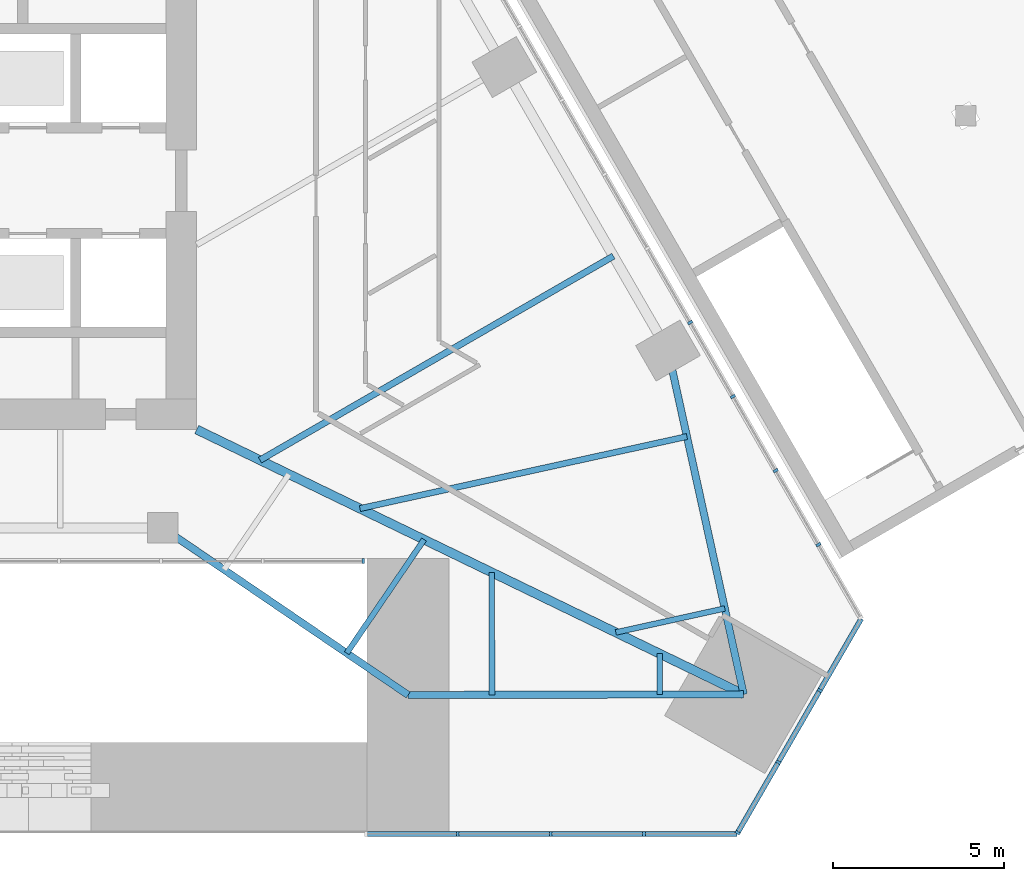
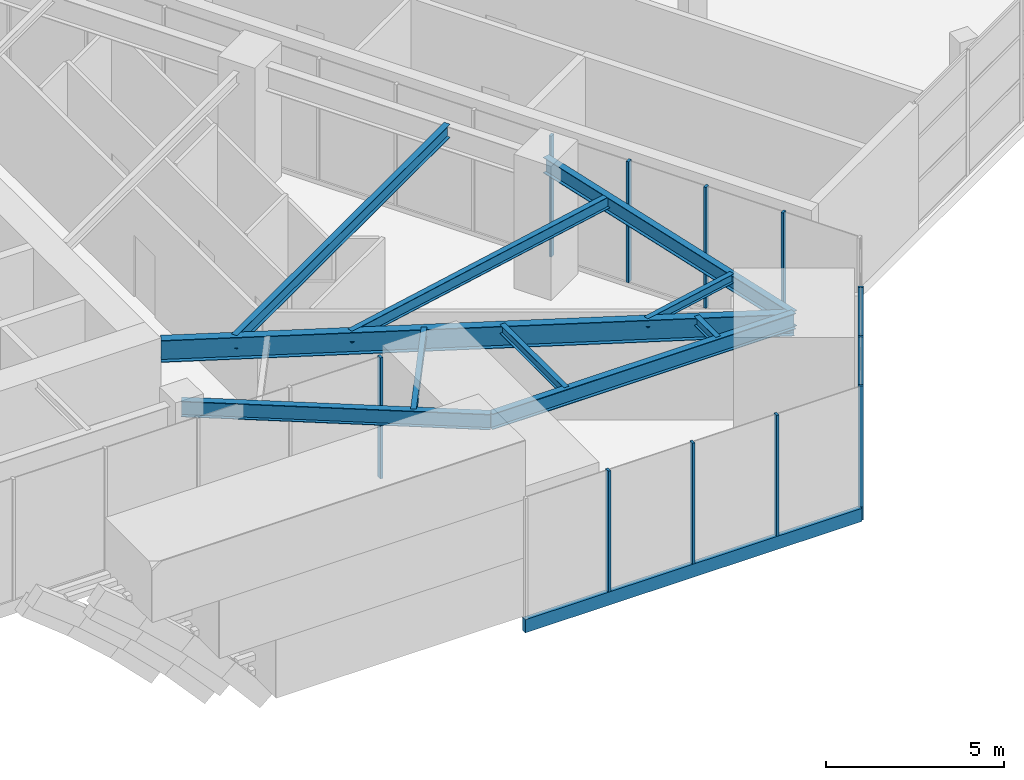
# One storey, part 6 of 23: 13 members, 10 beams, 4 elements without a shape of their own.
"""IFC4 building model written with IfcOpenShell, lengths in metres."""

from ifc_helpers import new_model, si_unit, direction, frame, origin, origin_2d, place, context, subcontext, project, spatial, rectangle, i_section, extrude, material, layer, layer_set, material_profile, profile_set, type_object, element, aggregate, save


model = new_model("IFC4")

# Units and contexts
model_context = context("Model", 3, precision=1e-05, world=origin(), true_north=direction((0.0, 1.0)))
body_context = subcontext(model_context, "Body", "Model", "MODEL_VIEW")
ifc_project = project(units=[si_unit("LENGTHUNIT", "METRE"), si_unit("AREAUNIT", "SQUARE_METRE"), si_unit("VOLUMEUNIT", "CUBIC_METRE"), si_unit("PLANEANGLEUNIT", "RADIAN"), si_unit("MASSUNIT", "GRAM", prefix="KILO")], contexts=[model_context])

# Site, building, storey
site_placement = place(None, origin())
site = spatial("IfcSite", under=ifc_project, at=site_placement, CompositionType="ELEMENT")
building_placement = place(site_placement, origin())
building = spatial("IfcBuilding", under=site, at=building_placement, Name="Firuza Gate Tower and Library", CompositionType="ELEMENT")
storey_placement = place(building_placement, frame((0.0, 0.0, 21.800048828125)))
storey = spatial("IfcBuildingStorey", under=building, at=storey_placement, Name="L04", CompositionType="ELEMENT", Elevation=21.800048828125)

# Curtain wall, member
ifc_material_1 = material(Name="Aluminium 6063-T6", Category="aluminium")
ifc_layer_1 = layer(ifc_material_1, 0.14990234375)
ifc_layer_set_1 = layer_set([ifc_layer_1], Name="Stick curtain wall, gate lobby")
curtain_wall_type_1 = type_object("IfcCurtainWallType", Name="Stick curtain wall, gate lobby", PredefinedType="NOTDEFINED", material=ifc_layer_set_1)
placement = place(storey_placement, origin())
curtain_wall_1 = element("IfcCurtainWall", 1, at=placement, inside=storey, type_object=curtain_wall_type_1, Name="CW7 L04 gate lobby", PredefinedType="NOTDEFINED")
ifc_material_2 = material(Name="Aluminium 6063-T6", Category="aluminium")
ifc_material_profile_1 = material_profile(ifc_material_2, rectangle(XDim=0.14990234375, YDim=0.080078125, at=origin_2d()))
ifc_profile_set_1 = profile_set([ifc_material_profile_1], Name="Aluminium 6063-T6")
member_type_1 = type_object("IfcMemberType", Name="Curtain wall mullion 80x150", PredefinedType="MULLION", material=ifc_profile_set_1)
member_1_placement = place(storey_placement, frame((92.885009765625, 62.140380859375, 0.14990234375), z_axis=(0.0, 0.0, 1.0), x_axis=(0.0, 1.0, 0.0)))
member_1 = element("IfcMember", 2, at=member_1_placement, type_object=member_type_1, Name="Mullion", PredefinedType="MULLION", context=body_context, shape_type="SweptSolid", body=[
    extrude(rectangle(XDim=0.14990234375, YDim=0.080078125, at=origin_2d()), origin(), (0.0, 0.0, 1.0), 4.150146484375),
])
aggregate(curtain_wall_1, [member_1])

# Curtain wall, members
ifc_material_3 = material(Name="Aluminium 6063-T6", Category="aluminium")
ifc_layer_2 = layer(ifc_material_3, 0.14990234375)
ifc_layer_set_2 = layer_set([ifc_layer_2], Name="Stick curtain wall, podium")
curtain_wall_type_2 = type_object("IfcCurtainWallType", Name="Stick curtain wall, podium", PredefinedType="NOTDEFINED", material=ifc_layer_set_2)
curtain_wall_2 = element("IfcCurtainWall", 3, at=placement, inside=storey, type_object=curtain_wall_type_2, Name="CW5 L04 S", PredefinedType="NOTDEFINED")
member_2_placement = place(storey_placement, frame((95.654541015625, 54.140380859375, 0.14990234375), z_axis=(0.0, 0.0, 1.0), x_axis=(0.0, 1.0, 0.0)))
member_2 = element("IfcMember", 4, at=member_2_placement, type_object=member_type_1, Name="Mullion", PredefinedType="MULLION", context=body_context, shape_type="SweptSolid", body=[
    extrude(rectangle(XDim=0.14990234375, YDim=0.080078125, at=origin_2d()), origin(), (0.0, 0.0, 1.0), 4.150146484375),
])
member_3_placement = place(storey_placement, frame((98.384033203125, 54.140380859375, 0.14990234375), z_axis=(0.0, 0.0, 1.0), x_axis=(0.0, 1.0, 0.0)))
member_3 = element("IfcMember", 5, at=member_3_placement, type_object=member_type_1, Name="Mullion", PredefinedType="MULLION", context=body_context, shape_type="SweptSolid", body=[
    extrude(rectangle(XDim=0.14990234375, YDim=0.080078125, at=origin_2d()), origin(), (0.0, 0.0, 1.0), 4.150146484375),
])
member_4_placement = place(storey_placement, frame((101.11376953125, 54.140380859375, 0.14990234375), z_axis=(0.0, 0.0, 1.0), x_axis=(0.0, 1.0, 0.0)))
member_4 = element("IfcMember", 6, at=member_4_placement, type_object=member_type_1, Name="Mullion", PredefinedType="MULLION", context=body_context, shape_type="SweptSolid", body=[
    extrude(rectangle(XDim=0.14990234375, YDim=0.080078125, at=origin_2d()), origin(), (0.0, 0.0, 1.0), 4.150146484375),
])

curtain_wall_3 = element("IfcCurtainWall", 7, at=placement, inside=storey, type_object=curtain_wall_type_2, Name="CW5 L04 SE", PredefinedType="NOTDEFINED")
member_5_placement = place(storey_placement, frame((103.86328125, 54.175048828125, 0.14990234375), z_axis=(0.0, 0.0, 1.0), x_axis=(-0.866025403784, 0.5, 0.0)))
member_5 = element("IfcMember", 8, at=member_5_placement, type_object=member_type_1, Name="Mullion", PredefinedType="MULLION", context=body_context, shape_type="SweptSolid", body=[
    extrude(rectangle(XDim=0.14990234375, YDim=0.080078125, at=origin_2d()), origin(), (0.0, 0.0, 1.0), 4.150146484375),
])
member_6_placement = place(storey_placement, frame((105.0576171875, 56.243896484375, 0.14990234375), z_axis=(0.0, 0.0, 1.0), x_axis=(-0.866025403784, 0.5, 0.0)))
member_6 = element("IfcMember", 9, at=member_6_placement, type_object=member_type_1, Name="Mullion", PredefinedType="MULLION", context=body_context, shape_type="SweptSolid", body=[
    extrude(rectangle(XDim=0.14990234375, YDim=0.080078125, at=origin_2d()), origin(), (0.0, 0.0, 1.0), 4.150146484375),
])
member_7_placement = place(storey_placement, frame((106.272216796875, 58.347412109375, 0.14990234375), z_axis=(0.0, 0.0, 1.0), x_axis=(-0.866025403784, 0.5, 0.0)))
member_7 = element("IfcMember", 10, at=member_7_placement, type_object=member_type_1, Name="Mullion", PredefinedType="MULLION", context=body_context, shape_type="SweptSolid", body=[
    extrude(rectangle(XDim=0.14990234375, YDim=0.080078125, at=origin_2d()), origin(), (0.0, 0.0, 1.0), 4.150146484375),
])

curtain_wall_4 = element("IfcCurtainWall", 11, at=placement, inside=storey, type_object=curtain_wall_type_2, Name="CW5 L04 E", PredefinedType="NOTDEFINED")
member_8_placement = place(storey_placement, frame((106.232666015625, 62.622802734375, 0.14990234375), z_axis=(0.0, 0.0, 1.0), x_axis=(-0.866025403784, -0.5, 0.0)))
member_8 = element("IfcMember", 12, at=member_8_placement, type_object=member_type_1, Name="Mullion", PredefinedType="MULLION", context=body_context, shape_type="SweptSolid", body=[
    extrude(rectangle(XDim=0.14990234375, YDim=0.080078125, at=origin_2d()), origin(), (0.0, 0.0, 1.0), 4.150146484375),
])
member_9_placement = place(storey_placement, frame((104.978515625, 64.794921875, 0.14990234375), z_axis=(0.0, 0.0, 1.0), x_axis=(-0.866025403784, -0.5, 0.0)))
member_9 = element("IfcMember", 13, at=member_9_placement, type_object=member_type_1, Name="Mullion", PredefinedType="MULLION", context=body_context, shape_type="SweptSolid", body=[
    extrude(rectangle(XDim=0.14990234375, YDim=0.080078125, at=origin_2d()), origin(), (0.0, 0.0, 1.0), 4.150146484375),
])
member_10_placement = place(storey_placement, frame((103.724365234375, 66.967041015625, 0.14990234375), z_axis=(0.0, 0.0, 1.0), x_axis=(-0.866025403784, -0.5, 0.0)))
member_10 = element("IfcMember", 14, at=member_10_placement, type_object=member_type_1, Name="Mullion", PredefinedType="MULLION", context=body_context, shape_type="SweptSolid", body=[
    extrude(rectangle(XDim=0.14990234375, YDim=0.080078125, at=origin_2d()), origin(), (0.0, 0.0, 1.0), 4.150146484375),
])
member_11_placement = place(storey_placement, frame((102.470458984375, 69.13916015625, 0.14990234375), z_axis=(0.0, 0.0, 1.0), x_axis=(-0.866025403784, -0.5, 0.0)))
member_11 = element("IfcMember", 15, at=member_11_placement, type_object=member_type_1, Name="Mullion", PredefinedType="MULLION", context=body_context, shape_type="SweptSolid", body=[
    extrude(rectangle(XDim=0.14990234375, YDim=0.080078125, at=origin_2d()), origin(), (0.0, 0.0, 1.0), 4.150146484375),
])
aggregate(curtain_wall_4, [member_8, member_9, member_10, member_11])

# Member
ifc_material_4 = material(Name="Aluminium 6063-T6", Category="aluminium")
ifc_material_profile_2 = material_profile(ifc_material_4, rectangle(XDim=0.14990234375, YDim=0.449951171875, at=origin_2d()))
ifc_profile_set_2 = profile_set([ifc_material_profile_2], Name="Aluminium 6063-T6")
member_type_2 = type_object("IfcMemberType", Name="Curtain wall transom 450x150", PredefinedType="USERDEFINED", material=ifc_profile_set_2)
member_12_placement = place(storey_placement, frame((92.925048828125, 54.140380859375, -0.074951171875), z_axis=(1.0, 0.0, 0.0), x_axis=(0.0, 1.0, 0.0)))
member_12 = element("IfcMember", 16, at=member_12_placement, type_object=member_type_2, Name="Transom", ObjectType="TRANSOM", PredefinedType="USERDEFINED", context=body_context, shape_type="SweptSolid", body=[
    extrude(rectangle(XDim=0.14990234375, YDim=0.449951171875, at=origin_2d()), origin(), (0.0, 0.0, 1.0), 10.918212890625),
])

aggregate(curtain_wall_2, [member_2, member_3, member_4, member_12])

member_13_placement = place(storey_placement, frame((103.84326171875, 54.140380859375, -0.074951171875), z_axis=(0.500005719219, 0.866022101766, 0.0), x_axis=(-0.866022101766, 0.500005719219, 0.0)))
member_13 = element("IfcMember", 17, at=member_13_placement, type_object=member_type_2, Name="Transom", ObjectType="TRANSOM", PredefinedType="USERDEFINED", context=body_context, shape_type="SweptSolid", body=[
    extrude(rectangle(XDim=0.14990234375, YDim=0.449951171875, at=origin_2d()), origin(), (0.0, 0.0, 1.0), 7.28662109375),
])

aggregate(curtain_wall_3, [member_5, member_6, member_7, member_13])

# Beams
ifc_material_5 = material(Name="Steel S355", Category="steel")
ifc_material_profile_3 = material_profile(ifc_material_5, i_section(OverallWidth=0.1650390625, OverallDepth=0.31005859375, WebThickness=0.005859375, FlangeThickness=0.009765625, at=origin_2d()))
ifc_profile_set_3 = profile_set([ifc_material_profile_3], Name="Steel S355")
beam_type_1 = type_object("IfcBeamType", Name="W310x39 Floor beam", PredefinedType="JOIST", material=ifc_profile_set_3)
beam_1_placement = place(storey_placement, frame((92.39990234375, 59.4404296875, 4.14501953125), z_axis=(0.562657973934, 0.826689787265, 0.0), x_axis=(-0.826689787265, 0.562657973934, 0.0)))
element("IfcBeam", 18, at=beam_1_placement, inside=storey, type_object=beam_type_1, Name="Floor beam L04 s41", PredefinedType="JOIST", context=body_context, shape_type="SweptSolid", body=[
    extrude(i_section(OverallWidth=0.1650390625, OverallDepth=0.31005859375, WebThickness=0.005859375, FlangeThickness=0.009765625, at=origin_2d()), origin(), (0.0, 0.0, 1.0), 4.02978515625),
])
beam_2_placement = place(storey_placement, frame((96.660400390625, 58.2197265625, 4.14501953125), z_axis=(-0.001836107072, 0.999998314354, 0.0), x_axis=(-0.999998314354, -0.001836107072, 0.0)))
element("IfcBeam", 19, at=beam_2_placement, inside=storey, type_object=beam_type_1, Name="Floor beam L04 s50", PredefinedType="JOIST", context=body_context, shape_type="SweptSolid", body=[
    extrude(i_section(OverallWidth=0.1650390625, OverallDepth=0.31005859375, WebThickness=0.005859375, FlangeThickness=0.009765625, at=origin_2d()), origin(), (0.0, 0.0, 1.0), 3.590087890625),
])
beam_3_placement = place(storey_placement, frame((101.580810546875, 58.228759765625, 4.14501953125), z_axis=(-0.00183635683, 0.999998313895, 0.0), x_axis=(-0.999998313895, -0.00183635683, 0.0)))
element("IfcBeam", 20, at=beam_3_placement, inside=storey, type_object=beam_type_1, Name="Floor beam L04 s51", PredefinedType="JOIST", context=body_context, shape_type="SweptSolid", body=[
    extrude(i_section(OverallWidth=0.1650390625, OverallDepth=0.31005859375, WebThickness=0.005859375, FlangeThickness=0.009765625, at=origin_2d()), origin(), (0.0, 0.0, 1.0), 1.196533203125),
])
beam_4_placement = place(storey_placement, frame((103.486083984375, 60.75341796875, 4.14501953125), z_axis=(-0.976601243751, -0.215058156564, 0.0), x_axis=(0.215058156564, -0.976601243751, 0.0)))
element("IfcBeam", 21, at=beam_4_placement, inside=storey, type_object=beam_type_1, Name="Floor beam L04 s60", PredefinedType="JOIST", context=body_context, shape_type="SweptSolid", body=[
    extrude(i_section(OverallWidth=0.1650390625, OverallDepth=0.31005859375, WebThickness=0.005859375, FlangeThickness=0.009765625, at=origin_2d()), origin(), (0.0, 0.0, 1.0), 3.27294921875),
])
ifc_material_6 = material(Name="Steel S355", Category="steel")
ifc_material_profile_4 = material_profile(ifc_material_6, i_section(OverallWidth=0.177978515625, OverallDepth=0.406982421875, WebThickness=0.0078125, FlangeThickness=0.0126953125, at=origin_2d()))
ifc_profile_set_4 = profile_set([ifc_material_profile_4], Name="Steel S355")
beam_type_2 = type_object("IfcBeamType", Name="W410x60 Floor beam", PredefinedType="JOIST", material=ifc_profile_set_4)
beam_5_placement = place(storey_placement, frame((102.375732421875, 65.794189453125, 4.096435546875), z_axis=(-0.97658964753, -0.215110809441, 0.0), x_axis=(0.215110809441, -0.97658964753, 0.0)))
element("IfcBeam", 22, at=beam_5_placement, inside=storey, type_object=beam_type_2, Name="Floor beam L04 s61", PredefinedType="JOIST", context=body_context, shape_type="SweptSolid", body=[
    extrude(i_section(OverallWidth=0.177978515625, OverallDepth=0.406982421875, WebThickness=0.0078125, FlangeThickness=0.0126953125, at=origin_2d()), origin(), (0.0, 0.0, 1.0), 9.818359375),
])
ifc_material_7 = material(Name="Steel S355", Category="steel")
ifc_material_profile_5 = material_profile(ifc_material_7, i_section(OverallWidth=0.18994140625, OverallDepth=0.45703125, WebThickness=0.009033203125, FlangeThickness=0.014404296875, at=origin_2d()))
ifc_profile_set_5 = profile_set([ifc_material_profile_5], Name="Steel S355")
beam_type_3 = type_object("IfcBeamType", Name="W460x74 Floor beam", PredefinedType="JOIST", material=ifc_profile_set_5)
beam_6_placement = place(storey_placement, frame((100.220458984375, 71.0859375, 4.071533203125), z_axis=(-0.866020154196, -0.500009092443, 0.0), x_axis=(0.500009092443, -0.866020154196, 0.0)))
element("IfcBeam", 23, at=beam_6_placement, inside=storey, type_object=beam_type_3, Name="Floor beam L04 s70", PredefinedType="JOIST", context=body_context, shape_type="SweptSolid", body=[
    extrude(i_section(OverallWidth=0.18994140625, OverallDepth=0.45703125, WebThickness=0.009033203125, FlangeThickness=0.014404296875, at=origin_2d()), origin(), (0.0, 0.0, 1.0), 11.968505859375),
])
ifc_material_8 = material(Name="Steel S355", Category="steel")
ifc_material_profile_6 = material_profile(ifc_material_8, i_section(OverallWidth=0.212890625, OverallDepth=0.5390625, WebThickness=0.01171875, FlangeThickness=0.018798828125, at=origin_2d()))
ifc_profile_set_6 = profile_set([ifc_material_profile_6], Name="Steel S355")
beam_type_4 = type_object("IfcBeamType", Name="W530x109 Edge beam", PredefinedType="SPANDREL", material=ifc_profile_set_6)
beam_7_placement = place(storey_placement, frame((87.0, 63.115478515625, 4.030517578125), z_axis=(0.826703281934, -0.562638146272, 0.0), x_axis=(0.562638146272, 0.826703281934, 0.0)))
element("IfcBeam", 24, at=beam_7_placement, inside=storey, type_object=beam_type_4, Name="Edge beam L04 e40", PredefinedType="SPANDREL", context=body_context, shape_type="SweptSolid", body=[
    extrude(i_section(OverallWidth=0.212890625, OverallDepth=0.5390625, WebThickness=0.01171875, FlangeThickness=0.018798828125, at=origin_2d()), origin(), (0.0, 0.0, 1.0), 8.709228515625),
])
beam_8_placement = place(storey_placement, frame((94.199951171875, 58.21533203125, 4.030517578125), z_axis=(0.999998360207, 0.001810962051, 0.0), x_axis=(-0.001810962051, 0.999998360207, 0.0)))
element("IfcBeam", 25, at=beam_8_placement, inside=storey, type_object=beam_type_4, Name="Edge beam L04 e50", PredefinedType="SPANDREL", context=body_context, shape_type="SweptSolid", body=[
    extrude(i_section(OverallWidth=0.212890625, OverallDepth=0.5390625, WebThickness=0.01171875, FlangeThickness=0.018798828125, at=origin_2d()), origin(), (0.0, 0.0, 1.0), 9.84130859375),
])
beam_9_placement = place(storey_placement, frame((104.041259765625, 58.233154296875, 4.030517578125), z_axis=(-0.215117130091, 0.976588255275, 0.0), x_axis=(-0.976588255275, -0.215117130091, 0.0)))
element("IfcBeam", 26, at=beam_9_placement, inside=storey, type_object=beam_type_4, Name="Edge beam L04 e60", PredefinedType="SPANDREL", context=body_context, shape_type="SweptSolid", body=[
    extrude(i_section(OverallWidth=0.212890625, OverallDepth=0.5390625, WebThickness=0.01171875, FlangeThickness=0.018798828125, at=origin_2d()), origin(), (0.0, 0.0, 1.0), 10.3232421875),
])
ifc_material_9 = material(Name="Steel S355", Category="steel")
ifc_material_profile_7 = material_profile(ifc_material_9, i_section(OverallWidth=0.264892578125, OverallDepth=0.7529296875, WebThickness=0.01318359375, FlangeThickness=0.01708984375, at=origin_2d()))
ifc_profile_set_7 = profile_set([ifc_material_profile_7], Name="Steel S355")
beam_type_5 = type_object("IfcBeamType", Name="W760x147 Girder", PredefinedType="BEAM", material=ifc_profile_set_7)
beam_10_placement = place(storey_placement, frame((104.041259765625, 58.233154296875, 3.92333984375), z_axis=(-0.900050421894, 0.43578577082, 0.0), x_axis=(-0.43578577082, -0.900050421894, 0.0)))
element("IfcBeam", 27, at=beam_10_placement, inside=storey, type_object=beam_type_5, Name="Girder L04 gSE", PredefinedType="BEAM", context=body_context, shape_type="SweptSolid", body=[
    extrude(i_section(OverallWidth=0.264892578125, OverallDepth=0.7529296875, WebThickness=0.01318359375, FlangeThickness=0.01708984375, at=origin_2d()), origin(), (0.0, 0.0, 1.0), 17.822509765625),
])

save(model, "model.ifc")
